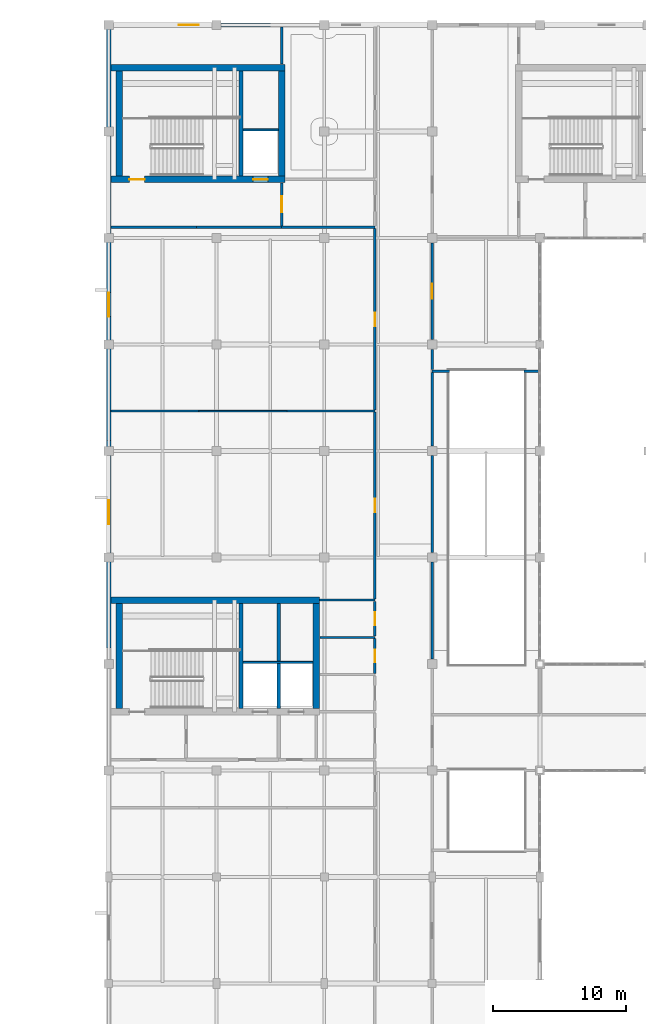
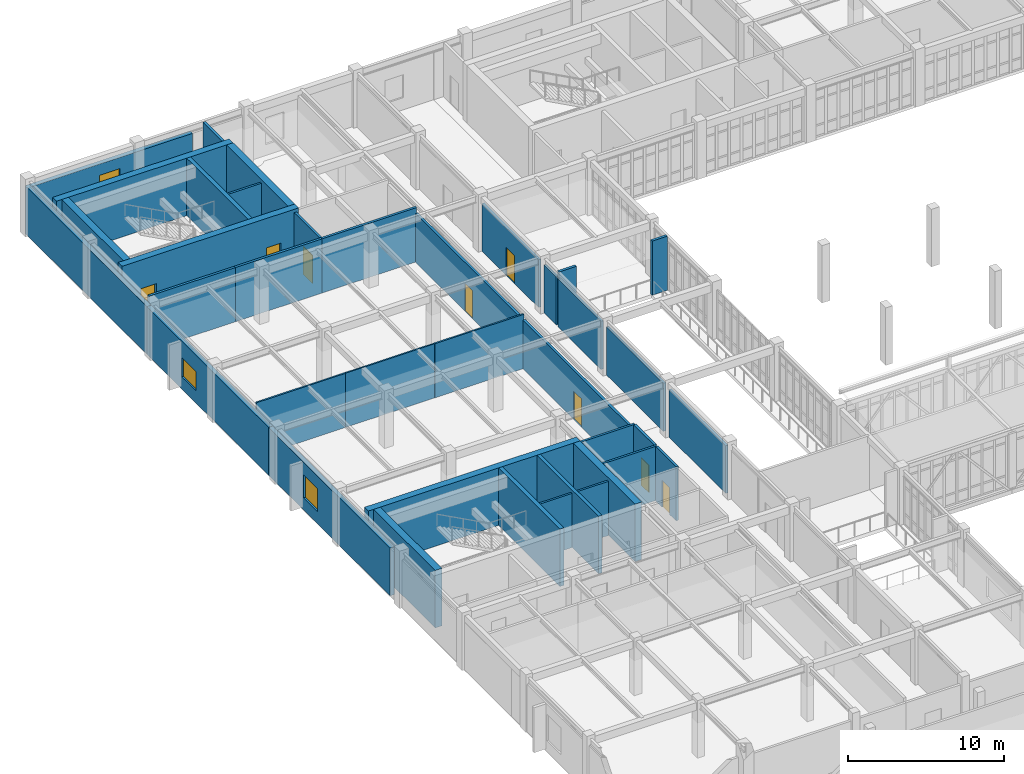
# One storey, part 51 of 67: 37 walls, 8 doors, 3 windows, 11 openings.
"""IFC4 building model written with IfcOpenShell, lengths in metres."""

import ifcopenshell
import ifcopenshell.guid

model = None  # the IFC model being written
_history = None  # IfcOwnerHistory: only IFC2X3 demands one
_inside = {}  # id of a spatial element -> (the spatial element, [elements in it])
_under = {}  # id of a project, library or spatial element -> (it, [spatial elements below it])
_declared = {}  # id of a project -> (the project, [libraries it declares])
_typed = {}  # id of a type object -> (the type object, [elements of that type])
_made_of = {}  # id of a material, layer set ... -> (it, [elements and type objects made of it])


def new_model(schema):
    """Start an empty IFC model of exactly this schema.

    Asked for "IFC4X3", IfcOpenShell would pick the latest addendum, in which some entities
    have other attributes; the version numbers below select the first issue.
    IFC2X3 requires an IfcOwnerHistory on every rooted entity: one is made here for all.
    """
    global model, _history
    if schema == "IFC4X3":
        model = ifcopenshell.file(schema_version=(4, 3, 0, 0))
    else:
        model = ifcopenshell.file(schema=schema)
    _inside.clear()
    _under.clear()
    _declared.clear()
    _typed.clear()
    _made_of.clear()
    _history = None
    if model.schema == "IFC2X3":
        org = make("IfcOrganization", Name="unknown")
        user = make(
            "IfcPersonAndOrganization",
            ThePerson=make("IfcPerson", FamilyName="unknown"),
            TheOrganization=org,
        )
        app = make(
            "IfcApplication",
            ApplicationDeveloper=org,
            Version="unknown",
            ApplicationFullName="unknown",
            ApplicationIdentifier="unknown",
        )
        _history = make(
            "IfcOwnerHistory",
            OwningUser=user,
            OwningApplication=app,
            ChangeAction="ADDED",
            CreationDate=0,
        )
    return model


def make(cls, **values):
    """One entity of the class cls with the attributes given. An attribute that is None is left unset."""
    return model.create_entity(
        cls, **{name: value for name, value in values.items() if value is not None}
    )


def rooted(cls, **values):
    """An entity with a GlobalId (a new one), such as an element, a storey or a relation."""
    return make(cls, GlobalId=ifcopenshell.guid.new(), OwnerHistory=_history, **values)


def si_unit(unit_type, name, prefix=None):
    """IfcSIUnit, for example si_unit("LENGTHUNIT", "METRE", prefix="MILLI")."""
    return make("IfcSIUnit", UnitType=unit_type, Prefix=prefix, Name=name)


def assignment(units):
    """IfcUnitAssignment: the units of a project."""
    return None if units is None else make("IfcUnitAssignment", Units=units)


def point(xyz):
    """IfcCartesianPoint."""
    return None if xyz is None else make("IfcCartesianPoint", Coordinates=xyz)


def direction(xyz):
    """IfcDirection."""
    return None if xyz is None else make("IfcDirection", DirectionRatios=xyz)


def frame(location, z_axis=None, x_axis=None):
    """IfcAxis2Placement3D, a coordinate frame: its origin and axes. An axis left out is left unset."""
    return make(
        "IfcAxis2Placement3D",
        Location=point(location),
        Axis=direction(z_axis),
        RefDirection=direction(x_axis),
    )


def frame_2d(location, x_axis=None):
    """IfcAxis2Placement2D, a coordinate frame in the plane: its origin and x axis."""
    return make(
        "IfcAxis2Placement2D", Location=point(location), RefDirection=direction(x_axis)
    )


def origin():
    """The frame at (0, 0, 0) with its axes left unset."""
    return frame((0.0, 0.0, 0.0))


def place(relative_to, where):
    """IfcLocalPlacement: puts the frame where relative to a parent placement (None: the world)."""
    return make(
        "IfcLocalPlacement", PlacementRelTo=relative_to, RelativePlacement=where
    )


def context(
    kind, dimensions, precision=None, world=None, true_north=None, identifier=None
):
    """IfcGeometricRepresentationContext, for example the 3D "Model" context."""
    return make(
        "IfcGeometricRepresentationContext",
        ContextIdentifier=identifier,
        ContextType=kind,
        CoordinateSpaceDimension=dimensions,
        Precision=precision,
        WorldCoordinateSystem=world,
        TrueNorth=true_north,
    )


def subcontext(parent, identifier, kind, view, scale=None):
    """IfcGeometricRepresentationSubContext, for example "Body" below "Model"."""
    return make(
        "IfcGeometricRepresentationSubContext",
        ContextIdentifier=identifier,
        ContextType=kind,
        ParentContext=parent,
        TargetScale=scale,
        TargetView=view,
    )


def project(units=None, contexts=None):
    """IfcProject with its units and contexts."""
    return rooted(
        "IfcProject",
        Name="project",
        RepresentationContexts=contexts,
        UnitsInContext=assignment(units),
    )


def spatial(cls, under=None, at=None, **own):
    """A site, building, storey or space (cls), placed at a placement, below another one or the project."""
    s = rooted(cls, ObjectPlacement=at, **own)
    if under is not None:
        _under.setdefault(under.id(), (under, []))[1].append(s)
    return s


def profile(cls, at=None, kind="AREA", **sizes):
    """A parametric profile (cls). Its sizes go by their IFC names, for example OverallWidth=200.0."""
    return make(cls, ProfileType=kind, Position=at, **sizes)


def rectangle(**sizes):
    """IfcRectangleProfileDef."""
    return profile("IfcRectangleProfileDef", **sizes)


def extrude(swept, where, along, depth):
    """IfcExtrudedAreaSolid: the profile swept, set in the frame where, extruded along a direction by depth."""
    return make(
        "IfcExtrudedAreaSolid",
        SweptArea=swept,
        Position=where,
        ExtrudedDirection=direction(along),
        Depth=depth,
    )


def shape(context_of_items, identifier, shape_type, items):
    """IfcShapeRepresentation: the items that make up one representation, for example the "Body"."""
    return make(
        "IfcShapeRepresentation",
        ContextOfItems=context_of_items,
        RepresentationIdentifier=identifier,
        RepresentationType=shape_type,
        Items=items,
    )


def material(Name=None, Category=None):
    """IfcMaterial."""
    return make("IfcMaterial", Name=Name, Category=Category)


def layer(
    of_material, thickness, ventilated=None, Name=None, Category=None, Priority=None
):
    """IfcMaterialLayer: one layer of a wall or slab, of a material (None: an air gap)."""
    return make(
        "IfcMaterialLayer",
        Material=of_material,
        LayerThickness=thickness,
        IsVentilated=ventilated,
        Name=Name,
        Category=Category,
        Priority=Priority,
    )


def layer_set(layers, Name=None):
    """IfcMaterialLayerSet."""
    return make("IfcMaterialLayerSet", MaterialLayers=layers, LayerSetName=Name)


def made_of(thing, what):
    """Note that an element or type object is made of a material, layer set ...; save() writes the relation."""
    if what is not None:
        _made_of.setdefault(what.id(), (what, []))[1].append(thing)
    return thing


def type_object(cls, material=None, **own):
    """A type object (cls), such as IfcWallType, which elements share."""
    return made_of(rooted(cls, **own), material)


def element(
    cls,
    number,
    at=None,
    inside=None,
    cuts=None,
    type_object=None,
    material=None,
    context=None,
    identifier="Body",
    shape_type=None,
    held_by="IfcProductDefinitionShape",
    body=None,
    shapes=None,
    **own,
):
    """One element of the class cls, such as IfcWall. Its Tag is "e" and its number.

    at: its placement. inside: the storey or other place that contains it. cuts: it is an
    opening in that element (IfcRelVoidsElement). A single representation is given by context,
    identifier, shape_type and body (its items); several are given by shapes. held_by: the class
    of the entity that holds the representations. save() writes the other relations.
    """
    e = rooted(cls, Tag="e%d" % number, ObjectPlacement=at, **own)
    if body is not None:
        shapes = [shape(context, identifier, shape_type, body)]
    if shapes is not None:
        e.Representation = make(held_by, Representations=shapes)
    if inside is not None:
        _inside.setdefault(inside.id(), (inside, []))[1].append(e)
    if cuts is not None:
        rooted(
            "IfcRelVoidsElement", RelatingBuildingElement=cuts, RelatedOpeningElement=e
        )
    if type_object is not None:
        _typed.setdefault(type_object.id(), (type_object, []))[1].append(e)
    return made_of(e, material)


def fill(opening, filler):
    """IfcRelFillsElement: the door or window that sits in an opening."""
    return rooted(
        "IfcRelFillsElement",
        RelatingOpeningElement=opening,
        RelatedBuildingElement=filler,
    )


def aggregate(whole, parts):
    """IfcRelAggregates: a whole, such as a stair, and the parts it consists of."""
    return rooted("IfcRelAggregates", RelatingObject=whole, RelatedObjects=parts)


def save(model, path):
    """Write the relations noted so far, then the file.

    IfcRelAggregates (storeys below a building ...), IfcRelContainedInSpatialStructure (elements
    in a storey), IfcRelDefinesByType, IfcRelAssociatesMaterial and IfcRelDeclares: one each for
    every whole, place, type object, material and project.
    """
    for whole, parts in _under.values():
        aggregate(whole, parts)
    for where, things in _inside.values():
        rooted(
            "IfcRelContainedInSpatialStructure",
            RelatedElements=things,
            RelatingStructure=where,
        )
    for kind, things in _typed.values():
        rooted("IfcRelDefinesByType", RelatedObjects=things, RelatingType=kind)
    for what, things in _made_of.values():
        rooted("IfcRelAssociatesMaterial", RelatedObjects=things, RelatingMaterial=what)
    for by, libraries in _declared.values():
        rooted("IfcRelDeclares", RelatingContext=by, RelatedDefinitions=libraries)
    model.write(path)


model = new_model("IFC4")

# Units and contexts
model_context = context("Model", 3, precision=1e-05, world=origin(), true_north=direction((0.0, 1.0)))
body_context = subcontext(model_context, "Body", "Model", "MODEL_VIEW")
ifc_project = project(units=[si_unit("LENGTHUNIT", "METRE"), si_unit("AREAUNIT", "SQUARE_METRE"), si_unit("VOLUMEUNIT", "CUBIC_METRE"), si_unit("PLANEANGLEUNIT", "RADIAN"), si_unit("MASSUNIT", "GRAM", prefix="KILO")], contexts=[model_context])

# Site, building, storey
site_placement = place(None, origin())
site = spatial("IfcSite", under=ifc_project, at=site_placement, CompositionType="ELEMENT")
building_placement = place(site_placement, origin())
building = spatial("IfcBuilding", under=site, at=building_placement, Name="Tarnveldt Square Police Headquarters", CompositionType="ELEMENT")
storey_placement = place(building_placement, frame((0.0, 0.0, 10.199951171875)))
storey = spatial("IfcBuildingStorey", under=building, at=storey_placement, Name="L02", CompositionType="ELEMENT", Elevation=10.199951171875)

# Walls
ifc_material_1 = material(Name="Fire-rated Type X gypsum board on steel studs", Category="steel")
ifc_layer_1 = layer(ifc_material_1, 0.199951171875)
ifc_layer_set_1 = layer_set([ifc_layer_1], Name="Fire-rated Type X gypsum board on steel studs")
wall_type_1 = type_object("IfcWallType", Name="WL-ACOUST-200", PredefinedType="PARTITIONING", material=ifc_layer_set_1)
wall_1_placement = place(storey_placement, frame((40.5, 86.0, 0.0), z_axis=(0.0, 0.0, 1.0), x_axis=(1.0, 0.0, 0.0)))
element("IfcWall", 1, at=wall_1_placement, inside=storey, type_object=wall_type_1, Name="L02 Interior Partition Wall 0362", PredefinedType="PARTITIONING", context=body_context, shape_type="SweptSolid", body=[
    extrude(rectangle(XDim=1.2900390625, YDim=0.199951171875, at=frame_2d((0.64501953125, 0.0))), origin(), (0.0, 0.0, 1.0), 4.239990234375),
])
wall_2_placement = place(storey_placement, frame((47.409912109375, 86.0, 0.0), z_axis=(0.0, 0.0, 1.0), x_axis=(1.0, 0.0, 0.0)))
element("IfcWall", 2, at=wall_2_placement, inside=storey, type_object=wall_type_1, Name="L02 Interior Partition Wall 0363", PredefinedType="PARTITIONING", context=body_context, shape_type="SweptSolid", body=[
    extrude(rectangle(XDim=1.125, YDim=0.199951171875, at=frame_2d((0.5625, 0.0))), origin(), (0.0, 0.0, 1.0), 4.239990234375),
])
wall_3_placement = place(storey_placement, frame((29.199951171875, 109.05810546875, 0.0), z_axis=(0.0, 0.0, 1.0), x_axis=(0.0, 1.0, 0.0)))
element("IfcWall", 3, at=wall_3_placement, inside=storey, type_object=wall_type_1, Name="L02 Interior Partition Wall 0383", PredefinedType="PARTITIONING", context=body_context, shape_type="SweptSolid", body=[
    extrude(rectangle(XDim=2.77392578125, YDim=0.199951171875, at=frame_2d((1.386962890625, 0.0))), origin(), (0.0, 0.0, 1.0), 4.239990234375),
])
ifc_material_2 = material(Name="Concrete 50 MPa", Category="concrete")
ifc_layer_2 = layer(ifc_material_2, 0.449951171875)
ifc_layer_set_2 = layer_set([ifc_layer_2], Name="Concrete 50 MPa")
wall_type_2 = type_object("IfcWallType", Name="WL-CORE-450", PredefinedType="SHEAR", material=ifc_layer_set_2)
wall_4_placement = place(storey_placement, frame((26.14990234375, 60.64990234375, 0.0), z_axis=(0.0, 0.0, 1.0), x_axis=(0.0, 1.0, 0.0)))
element("IfcWall", 4, at=wall_4_placement, inside=storey, type_object=wall_type_2, Name="Core K1 South-West Command and Firefighting Core L02 Stair-Lift Divider Shear Wall", PredefinedType="SHEAR", context=body_context, shape_type="SweptSolid", body=[
    extrude(rectangle(XDim=7.900146484375, YDim=0.300048828125, at=frame_2d((3.9501953125, 0.0))), origin(), (0.0, 0.0, 1.0), 4.5),
])
wall_5_placement = place(storey_placement, frame((28.97509765625, 60.64990234375, 0.0), z_axis=(0.0, 0.0, 1.0), x_axis=(0.0, 1.0, 0.0)))
element("IfcWall", 5, at=wall_5_placement, inside=storey, type_object=wall_type_2, Name="Core K1 South-West Command and Firefighting Core L02 Dual-Lift Shaft Divider Wall", PredefinedType="SHEAR", context=body_context, shape_type="SweptSolid", body=[
    extrude(rectangle(XDim=7.900146484375, YDim=0.25, at=frame_2d((3.9501953125, 0.0))), origin(), (0.0, 0.0, 1.0), 4.5),
])
wall_6_placement = place(storey_placement, frame((26.14990234375, 100.64990234375, 0.0), z_axis=(0.0, 0.0, 1.0), x_axis=(0.0, 1.0, 0.0)))
element("IfcWall", 6, at=wall_6_placement, inside=storey, type_object=wall_type_2, Name="Core K2 North-West Operations Core L02 Stair-Lift Divider Shear Wall", PredefinedType="SHEAR", context=body_context, shape_type="SweptSolid", body=[
    extrude(rectangle(XDim=7.900146484375, YDim=0.300048828125, at=frame_2d((3.9501953125, 0.0))), origin(), (0.0, 0.0, 1.0), 4.5),
])
ifc_layer_3 = layer(ifc_material_2, 0.5)
ifc_layer_set_3 = layer_set([ifc_layer_3], Name="Concrete 50 MPa")
wall_type_3 = type_object("IfcWallType", Name="WL-CORE-500", PredefinedType="SHEAR", material=ifc_layer_set_3)
wall_7_placement = place(storey_placement, frame((16.360107421875, 68.800048828125, 0.0), z_axis=(0.0, 0.0, 1.0), x_axis=(1.0, 0.0, 0.0)))
element("IfcWall", 7, at=wall_7_placement, inside=storey, type_object=wall_type_3, Name="Core K1 South-West Command and Firefighting Core L02 North Shear Wall", PredefinedType="SHEAR", context=body_context, shape_type="SweptSolid", body=[
    extrude(rectangle(XDim=15.68994140625, YDim=0.5, at=frame_2d((7.844970703125, 0.0))), origin(), (0.0, 0.0, 1.0), 4.5),
])
for number, where, z_axis, x_axis, name in (
    (8, (17.0, 60.64990234375, 0.0), (0.0, 0.0, 1.0), (0.0, 1.0, 0.0), "Core K1 South-West Command and Firefighting Core L02 West Shear Wall"),
    (9, (31.800048828125, 60.64990234375, 0.0), (0.0, 0.0, 1.0), (0.0, 1.0, 0.0), "Core K1 South-West Command and Firefighting Core L02 East Shear Wall"),
):
    element("IfcWall", number, at=place(storey_placement, frame(where, z_axis=z_axis, x_axis=x_axis)), inside=storey, type_object=wall_type_3, Name=name, PredefinedType="SHEAR", context=body_context, shape_type="SweptSolid", body=[
        extrude(rectangle(XDim=7.900146484375, YDim=0.5, at=frame_2d((3.9501953125, 0.0))), origin(), (0.0, 0.0, 1.0), 4.5),
    ])

# Wall, openings, doors
wall_8_placement = place(storey_placement, frame((16.360107421875, 100.39990234375, 0.0), z_axis=(0.0, 0.0, 1.0), x_axis=(1.0, 0.0, 0.0)))
wall_8 = element("IfcWall", 10, at=wall_8_placement, inside=storey, type_object=wall_type_3, Name="Core K2 North-West Operations Core L02 South Shear Wall", PredefinedType="SHEAR", context=body_context, shape_type="SweptSolid", body=[
    extrude(rectangle(XDim=13.08984375, YDim=0.5, at=frame_2d((6.544921875, 0.0))), origin(), (0.0, 0.0, 1.0), 4.5),
])
opening_1_placement = place(wall_8_placement, frame((1.389892578125, 0.0, 0.0)))
opening_1 = element("IfcOpeningElement", 11, at=opening_1_placement, cuts=wall_8, Name="Opening D-ST2-L02", PredefinedType="OPENING", context=body_context, shape_type="SweptSolid", body=[
    extrude(rectangle(XDim=1.14990234375, YDim=2.25, at=frame_2d((0.574951171875, 1.125))), frame((0.0, 0.260009765625, 0.0), z_axis=(0.0, -1.0, 0.0), x_axis=(1.0, 0.0, 0.0)), (0.0, 0.0, 1.0), 0.52001953125),
])
opening_2_placement = place(wall_8_placement, frame((10.695068359375, 0.0, 0.0)))
opening_2 = element("IfcOpeningElement", 12, at=opening_2_placement, cuts=wall_8, Name="Opening LD-LP2-L02", PredefinedType="OPENING", context=body_context, shape_type="SweptSolid", body=[
    extrude(rectangle(XDim=1.10009765625, YDim=2.199951171875, at=frame_2d((0.550048828125, 1.10009765625))), frame((0.0, 0.260009765625, 0.0), z_axis=(0.0, -1.0, 0.0), x_axis=(1.0, 0.0, 0.0)), (0.0, 0.0, 1.0), 0.52001953125),
])
ifc_material_3 = material(Name="Insulated hollow metal steel door leaf", Category="steel")
door_type_1 = type_object("IfcDoorType", Name="DR-FD90-1150", OperationType="NOTDEFINED", PredefinedType="DOOR", material=ifc_material_3)
door_1_placement = place(opening_1_placement, origin())
door_1 = element("IfcDoor", 13, at=door_1_placement, inside=storey, type_object=door_type_1, Name="Exit Stair ST2 L02 Fire Door", OperationType="SINGLE_SWING_RIGHT", OverallHeight=2.25, OverallWidth=1.14990234375, PredefinedType="DOOR", context=body_context, shape_type="SweptSolid", body=[
    extrude(rectangle(XDim=1.14990234375, YDim=2.25, at=frame_2d((0.574951171875, 1.125))), frame((0.0, 0.02490234375, 0.0), z_axis=(0.0, -1.0, 0.0), x_axis=(1.0, 0.0, 0.0)), (0.0, 0.0, 1.0), 0.050048828125),
])
fill(opening_1, door_1)
ifc_material_4 = material(Name="Steel 350W", Category="steel")
door_type_2 = type_object("IfcDoorType", Name="DR-LD-1100", OperationType="DOUBLE_DOOR_SLIDING", PredefinedType="DOOR", material=ifc_material_4)
door_2_placement = place(opening_2_placement, frame((1.10009765625, 0.0, 0.0), z_axis=(0.0, 0.0, 1.0), x_axis=(-1.0, 0.0, 0.0)))
door_2 = element("IfcDoor", 14, at=door_2_placement, inside=storey, type_object=door_type_2, Name="Elevator LP2 L02 Sliding Landing Door", OperationType="DOUBLE_DOOR_SLIDING", OverallHeight=2.199951171875, OverallWidth=1.10009765625, PredefinedType="DOOR", context=body_context, shape_type="SweptSolid", body=[
    extrude(rectangle(XDim=1.10009765625, YDim=2.199951171875, at=frame_2d((0.550048828125, 1.10009765625))), frame((0.0, 0.02490234375, 0.0), z_axis=(0.0, -1.0, 0.0), x_axis=(1.0, 0.0, 0.0)), (0.0, 0.0, 1.0), 0.050048828125),
])
fill(opening_2, door_2)

# Walls
wall_9_placement = place(storey_placement, frame((16.360107421875, 108.800048828125, 0.0), z_axis=(0.0, 0.0, 1.0), x_axis=(1.0, 0.0, 0.0)))
element("IfcWall", 15, at=wall_9_placement, inside=storey, type_object=wall_type_3, Name="Core K2 North-West Operations Core L02 North Shear Wall", PredefinedType="SHEAR", context=body_context, shape_type="SweptSolid", body=[
    extrude(rectangle(XDim=13.08984375, YDim=0.5, at=frame_2d((6.544921875, 0.0))), origin(), (0.0, 0.0, 1.0), 4.5),
])
for number, where, z_axis, x_axis, name in (
    (16, (17.0, 100.64990234375, 0.0), (0.0, 0.0, 1.0), (0.0, 1.0, 0.0), "Core K2 North-West Operations Core L02 West Shear Wall"),
    (17, (29.199951171875, 100.64990234375, 0.0), (0.0, 0.0, 1.0), (0.0, 1.0, 0.0), "Core K2 North-West Operations Core L02 East Shear Wall"),
):
    element("IfcWall", number, at=place(storey_placement, frame(where, z_axis=z_axis, x_axis=x_axis)), inside=storey, type_object=wall_type_3, Name=name, PredefinedType="SHEAR", context=body_context, shape_type="SweptSolid", body=[
        extrude(rectangle(XDim=7.900146484375, YDim=0.5, at=frame_2d((3.9501953125, 0.0))), origin(), (0.0, 0.0, 1.0), 4.5),
    ])

# Wall, opening, window
ifc_material_5 = material(Name="Concrete 40 MPa", Category="concrete")
ifc_layer_4 = layer(ifc_material_5, 0.320068359375)
ifc_layer_set_4 = layer_set([ifc_layer_4], Name="Concrete 40 MPa")
wall_type_4 = type_object("IfcWallType", Name="WL-EXT-BH320", PredefinedType="SOLIDWALL", material=ifc_layer_set_4)
wall_10_placement = place(storey_placement, frame((28.35009765625, 112.0, 0.0), z_axis=(0.0, 0.0, 1.0), x_axis=(-1.0, 0.0, 0.0)))
wall_10 = element("IfcWall", 18, at=wall_10_placement, inside=storey, type_object=wall_type_4, Name="L02 Brutalist Exterior Wall 0136", PredefinedType="SOLIDWALL", context=body_context, shape_type="SweptSolid", body=[
    extrude(rectangle(XDim=12.150146484375, YDim=0.320068359375, at=frame_2d((6.0751953125, 0.0))), origin(), (0.0, 0.0, 1.0), 3.632080078125),
])
opening_3_placement = place(wall_10_placement, frame((5.39990234375, 0.0, 0.949951171875)))
opening_3 = element("IfcOpeningElement", 19, at=opening_3_placement, cuts=wall_10, Name="Opening W07", PredefinedType="OPENING", context=body_context, shape_type="SweptSolid", body=[
    extrude(rectangle(XDim=1.5, YDim=1.800048828125, at=frame_2d((0.75, 0.89990234375))), frame((0.0, 0.169921875, 0.0), z_axis=(0.0, -1.0, 0.0), x_axis=(1.0, 0.0, 0.0)), (0.0, 0.0, 1.0), 0.340087890625),
])
ifc_material_6 = material(Name="Triple-glazed low-e laminated vision glass", Category="glass")
window_type_1 = type_object("IfcWindowType", Name="WIN-DR-150x180", PartitioningType="DOUBLE_PANEL_VERTICAL", PredefinedType="WINDOW", material=ifc_material_6)
window_1_placement = place(opening_3_placement, origin())
window_1 = element("IfcWindow", 20, at=window_1_placement, inside=storey, type_object=window_type_1, Name="L02 Deep-Reveal Brutalist Window 0055", OverallHeight=1.800048828125, OverallWidth=1.5, PartitioningType="DOUBLE_PANEL_VERTICAL", PredefinedType="WINDOW", context=body_context, shape_type="SweptSolid", body=[
    extrude(rectangle(XDim=1.5, YDim=1.800048828125, at=frame_2d((0.75, 0.89990234375))), frame((0.0, 0.030029296875, 0.0), z_axis=(0.0, -1.0, 0.0), x_axis=(1.0, 0.0, 0.0)), (0.0, 0.0, 1.0), 0.06005859375),
])
fill(opening_3, window_1)

# Wall
wall_11_placement = place(storey_placement, frame((16.199951171875, 112.0, 0.0), z_axis=(0.0, 0.0, 1.0), x_axis=(0.0, -1.0, 0.0)))
element("IfcWall", 21, at=wall_11_placement, inside=storey, type_object=wall_type_4, Name="L02 Brutalist Exterior Wall 0137", PredefinedType="SOLIDWALL", context=body_context, shape_type="SweptSolid", body=[
    extrude(rectangle(XDim=15.60009765625, YDim=0.320068359375, at=frame_2d((7.800048828125, 0.0))), origin(), (0.0, 0.0, 1.0), 3.73193359375),
])

# Wall, opening, window
wall_12_placement = place(storey_placement, frame((16.199951171875, 96.39990234375, 0.0), z_axis=(0.0, 0.0, 1.0), x_axis=(0.0, -1.0, 0.0)))
wall_12 = element("IfcWall", 22, at=wall_12_placement, inside=storey, type_object=wall_type_4, Name="L02 Brutalist Exterior Wall 0138", PredefinedType="SOLIDWALL", context=body_context, shape_type="SweptSolid", body=[
    extrude(rectangle(XDim=15.599853515625, YDim=0.320068359375, at=frame_2d((7.7998046875, 0.0))), origin(), (0.0, 0.0, 1.0), 3.73193359375),
])
opening_4_placement = place(wall_12_placement, frame((4.5, 0.0, 0.949951171875)))
opening_4 = element("IfcOpeningElement", 23, at=opening_4_placement, cuts=wall_12, Name="Opening W08", PredefinedType="OPENING", context=body_context, shape_type="SweptSolid", body=[
    extrude(rectangle(XDim=1.800048828125, YDim=1.5, at=frame_2d((0.89990234375, 0.75))), frame((0.0, 0.169921875, 0.0), z_axis=(0.0, -1.0, 0.0), x_axis=(1.0, 0.0, 0.0)), (0.0, 0.0, 1.0), 0.340087890625),
])
window_type_2 = type_object("IfcWindowType", Name="WIN-DR-180x150", PartitioningType="DOUBLE_PANEL_VERTICAL", PredefinedType="WINDOW", material=ifc_material_6)
window_2_placement = place(opening_4_placement, origin())
window_2 = element("IfcWindow", 24, at=window_2_placement, inside=storey, type_object=window_type_2, Name="L02 Deep-Reveal Brutalist Window 0056", OverallHeight=1.5, OverallWidth=1.800048828125, PartitioningType="DOUBLE_PANEL_VERTICAL", PredefinedType="WINDOW", context=body_context, shape_type="SweptSolid", body=[
    extrude(rectangle(XDim=1.800048828125, YDim=1.5, at=frame_2d((0.89990234375, 0.75))), frame((0.0, 0.030029296875, 0.0), z_axis=(0.0, -1.0, 0.0), x_axis=(1.0, 0.0, 0.0)), (0.0, 0.0, 1.0), 0.06005859375),
])
fill(opening_4, window_2)

wall_13_placement = place(storey_placement, frame((16.199951171875, 80.800048828125, 0.0), z_axis=(0.0, 0.0, 1.0), x_axis=(0.0, -1.0, 0.0)))
wall_13 = element("IfcWall", 25, at=wall_13_placement, inside=storey, type_object=wall_type_4, Name="L02 Brutalist Exterior Wall 0139", PredefinedType="SOLIDWALL", context=body_context, shape_type="SweptSolid", body=[
    extrude(rectangle(XDim=15.60009765625, YDim=0.320068359375, at=frame_2d((7.800048828125, 0.0))), origin(), (0.0, 0.0, 1.0), 3.73193359375),
])
opening_5_placement = place(wall_13_placement, frame((4.5, 0.0, 0.949951171875)))
opening_5 = element("IfcOpeningElement", 26, at=opening_5_placement, cuts=wall_13, Name="Opening W09", PredefinedType="OPENING", context=body_context, shape_type="SweptSolid", body=[
    extrude(rectangle(XDim=1.800048828125, YDim=1.800048828125, at=frame_2d((0.89990234375, 0.89990234375))), frame((0.0, 0.169921875, 0.0), z_axis=(0.0, -1.0, 0.0), x_axis=(1.0, 0.0, 0.0)), (0.0, 0.0, 1.0), 0.340087890625),
])
window_type_3 = type_object("IfcWindowType", Name="WIN-DR-180x180", PartitioningType="DOUBLE_PANEL_VERTICAL", PredefinedType="WINDOW", material=ifc_material_6)
window_3_placement = place(opening_5_placement, origin())
window_3 = element("IfcWindow", 27, at=window_3_placement, inside=storey, type_object=window_type_3, Name="L02 Deep-Reveal Brutalist Window 0057", OverallHeight=1.800048828125, OverallWidth=1.800048828125, PartitioningType="DOUBLE_PANEL_VERTICAL", PredefinedType="WINDOW", context=body_context, shape_type="SweptSolid", body=[
    extrude(rectangle(XDim=1.800048828125, YDim=1.800048828125, at=frame_2d((0.89990234375, 0.89990234375))), frame((0.0, 0.030029296875, 0.0), z_axis=(0.0, -1.0, 0.0), x_axis=(1.0, 0.0, 0.0)), (0.0, 0.0, 1.0), 0.06005859375),
])
fill(opening_5, window_3)

# Walls
ifc_layer_5 = layer(ifc_material_1, 0.179931640625)
ifc_layer_set_5 = layer_set([ifc_layer_5], Name="Fire-rated Type X gypsum board on steel studs")
wall_type_5 = type_object("IfcWallType", Name="WL-FIRE-180", PredefinedType="PARTITIONING", material=ifc_layer_set_5)
for number, where, z_axis, x_axis, name in (
    (28, (16.367919921875, 96.800048828125, 0.0), (0.0, 0.0, 1.0), (1.0, 0.0, 0.0), "L02 Interior Partition Wall 0342"),
    (29, (22.783935546875, 96.800048828125, 0.0), (0.0, 0.0, 1.0), (1.0, 0.0, 0.0), "L02 Interior Partition Wall 0343"),
):
    element("IfcWall", number, at=place(storey_placement, frame(where, z_axis=z_axis, x_axis=x_axis)), inside=storey, type_object=wall_type_5, Name=name, PredefinedType="PARTITIONING", context=body_context, shape_type="SweptSolid", body=[
        extrude(rectangle(XDim=6.416015625, YDim=0.179931640625, at=frame_2d((3.2080078125, 0.0))), origin(), (0.0, 0.0, 1.0), 4.239990234375),
    ])
wall_14_placement = place(storey_placement, frame((29.199951171875, 96.800048828125, 0.0), z_axis=(0.0, 0.0, 1.0), x_axis=(1.0, 0.0, 0.0)))
element("IfcWall", 30, at=wall_14_placement, inside=storey, type_object=wall_type_5, Name="L02 Interior Partition Wall 0347", PredefinedType="PARTITIONING", context=body_context, shape_type="SweptSolid", body=[
    extrude(rectangle(XDim=7.0, YDim=0.179931640625, at=frame_2d((3.5, 0.0))), origin(), (0.0, 0.0, 1.0), 4.239990234375),
])

# Wall, opening, door
wall_15_placement = place(storey_placement, frame((29.199951171875, 96.89794921875, 0.0), z_axis=(0.0, 0.0, 1.0), x_axis=(0.0, 1.0, 0.0)))
wall_15 = element("IfcWall", 31, at=wall_15_placement, inside=storey, type_object=wall_type_5, Name="L02 Interior Partition Wall 0382", PredefinedType="PARTITIONING", context=body_context, shape_type="SweptSolid", body=[
    extrude(rectangle(XDim=3.244140625, YDim=0.179931640625, at=frame_2d((1.6220703125, 0.0))), origin(), (0.0, 0.0, 1.0), 4.239990234375),
])
opening_6_placement = place(wall_15_placement, frame((1.02197265625, 0.0, 0.0)))
opening_6 = element("IfcOpeningElement", 32, at=opening_6_placement, cuts=wall_15, Name="Opening D16", PredefinedType="OPENING", context=body_context, shape_type="SweptSolid", body=[
    extrude(rectangle(XDim=1.199951171875, YDim=2.199951171875, at=frame_2d((0.60009765625, 1.10009765625))), frame((0.0, 0.099853515625, 0.0), z_axis=(0.0, -1.0, 0.0), x_axis=(1.0, 0.0, 0.0)), (0.0, 0.0, 1.0), 0.199951171875),
])
door_type_3 = type_object("IfcDoorType", Name="DR-FD60-1200", OperationType="NOTDEFINED", PredefinedType="DOOR", material=ifc_material_3)
door_3_placement = place(opening_6_placement, frame((1.199951171875, 0.0, 0.0), z_axis=(0.0, 0.0, 1.0), x_axis=(-1.0, 0.0, 0.0)))
door_3 = element("IfcDoor", 33, at=door_3_placement, inside=storey, type_object=door_type_3, Name="Core Lift Lobby K2-L02 Door", OperationType="SINGLE_SWING_LEFT", OverallHeight=2.199951171875, OverallWidth=1.199951171875, PredefinedType="DOOR", context=body_context, shape_type="SweptSolid", body=[
    extrude(rectangle(XDim=1.199951171875, YDim=2.199951171875, at=frame_2d((0.60009765625, 1.10009765625))), frame((0.0, 0.02490234375, 0.0), z_axis=(0.0, -1.0, 0.0), x_axis=(1.0, 0.0, 0.0)), (0.0, 0.0, 1.0), 0.050048828125),
])
fill(opening_6, door_3)

wall_16_placement = place(storey_placement, frame((36.199951171875, 63.2880859375, 0.0), z_axis=(0.0, 0.0, 1.0), x_axis=(0.0, 1.0, 0.0)))
wall_16 = element("IfcWall", 34, at=wall_16_placement, inside=storey, type_object=wall_type_5, Name="L02 Interior Partition Wall 0393", PredefinedType="PARTITIONING", context=body_context, shape_type="SweptSolid", body=[
    extrude(rectangle(XDim=2.6240234375, YDim=0.179931640625, at=frame_2d((1.31201171875, 0.0))), origin(), (0.0, 0.0, 1.0), 4.239990234375),
])
opening_7_placement = place(wall_16_placement, frame((0.8369140625, 0.0, 0.0)))
opening_7 = element("IfcOpeningElement", 35, at=opening_7_placement, cuts=wall_16, Name="Opening D02", PredefinedType="OPENING", context=body_context, shape_type="SweptSolid", body=[
    extrude(rectangle(XDim=0.949951171875, YDim=2.10009765625, at=frame_2d((0.47509765625, 1.050048828125))), frame((0.0, 0.099853515625, 0.0), z_axis=(0.0, -1.0, 0.0), x_axis=(1.0, 0.0, 0.0)), (0.0, 0.0, 1.0), 0.199951171875),
])
ifc_material_7 = material(Name="Solid core architectural birch door leaf", Category="wood")
door_type_4 = type_object("IfcDoorType", Name="DR-WC-950", OperationType="NOTDEFINED", PredefinedType="DOOR", material=ifc_material_7)
door_4_placement = place(opening_7_placement, origin())
door_4 = element("IfcDoor", 36, at=door_4_placement, inside=storey, type_object=door_type_4, Name="Women Washroom L02 Door", OperationType="SINGLE_SWING_LEFT", OverallHeight=2.10009765625, OverallWidth=0.949951171875, PredefinedType="DOOR", context=body_context, shape_type="SweptSolid", body=[
    extrude(rectangle(XDim=0.949951171875, YDim=2.10009765625, at=frame_2d((0.47509765625, 1.050048828125))), frame((0.0, 0.02490234375, 0.0), z_axis=(0.0, -1.0, 0.0), x_axis=(1.0, 0.0, 0.0)), (0.0, 0.0, 1.0), 0.050048828125),
])
fill(opening_7, door_4)

wall_17_placement = place(storey_placement, frame((36.199951171875, 66.087890625, 0.0), z_axis=(0.0, 0.0, 1.0), x_axis=(0.0, 1.0, 0.0)))
wall_17 = element("IfcWall", 37, at=wall_17_placement, inside=storey, type_object=wall_type_5, Name="L02 Interior Partition Wall 0394", PredefinedType="PARTITIONING", context=body_context, shape_type="SweptSolid", body=[
    extrude(rectangle(XDim=2.6240234375, YDim=0.179931640625, at=frame_2d((1.31201171875, 0.0))), origin(), (0.0, 0.0, 1.0), 4.239990234375),
])
opening_8_placement = place(wall_17_placement, frame((0.81201171875, 0.0, 0.0)))
opening_8 = element("IfcOpeningElement", 38, at=opening_8_placement, cuts=wall_17, Name="Opening D04", PredefinedType="OPENING", context=body_context, shape_type="SweptSolid", body=[
    extrude(rectangle(XDim=1.0, YDim=2.14990234375, at=frame_2d((0.5, 1.074951171875))), frame((0.0, 0.099853515625, 0.0), z_axis=(0.0, -1.0, 0.0), x_axis=(1.0, 0.0, 0.0)), (0.0, 0.0, 1.0), 0.199951171875),
])
door_type_5 = type_object("IfcDoorType", Name="DR-ACC-1000", OperationType="NOTDEFINED", PredefinedType="DOOR", material=ifc_material_7)
door_5_placement = place(opening_8_placement, origin())
door_5 = element("IfcDoor", 39, at=door_5_placement, inside=storey, type_object=door_type_5, Name="Accessible WC L02 Door", OperationType="SINGLE_SWING_RIGHT", OverallHeight=2.14990234375, OverallWidth=1.0, PredefinedType="DOOR", context=body_context, shape_type="SweptSolid", body=[
    extrude(rectangle(XDim=1.0, YDim=2.14990234375, at=frame_2d((0.5, 1.074951171875))), frame((0.0, 0.02490234375, 0.0), z_axis=(0.0, -1.0, 0.0), x_axis=(1.0, 0.0, 0.0)), (0.0, 0.0, 1.0), 0.050048828125),
])
fill(opening_8, door_5)

wall_18_placement = place(storey_placement, frame((36.199951171875, 68.887939453125, 0.0), z_axis=(0.0, 0.0, 1.0), x_axis=(0.0, 1.0, 0.0)))
wall_18 = element("IfcWall", 40, at=wall_18_placement, inside=storey, type_object=wall_type_5, Name="L02 Interior Partition Wall 0395", PredefinedType="PARTITIONING", context=body_context, shape_type="SweptSolid", body=[
    extrude(rectangle(XDim=14.0439453125, YDim=0.179931640625, at=frame_2d((7.02197265625, 0.0))), origin(), (0.0, 0.0, 1.0), 3.824951171875),
])
opening_9_placement = place(wall_18_placement, frame((6.52197265625, 0.0, 0.0)))
opening_9 = element("IfcOpeningElement", 41, at=opening_9_placement, cuts=wall_18, Name="Opening D05", PredefinedType="OPENING", context=body_context, shape_type="SweptSolid", body=[
    extrude(rectangle(XDim=1.0, YDim=2.199951171875, at=frame_2d((0.5, 1.10009765625))), frame((0.0, 0.099853515625, 0.0), z_axis=(0.0, -1.0, 0.0), x_axis=(1.0, 0.0, 0.0)), (0.0, 0.0, 1.0), 0.199951171875),
])
door_type_6 = type_object("IfcDoorType", Name="DR-INT-1000", OperationType="NOTDEFINED", PredefinedType="DOOR", material=ifc_material_7)
door_6_placement = place(opening_9_placement, origin())
door_6 = element("IfcDoor", 42, at=door_6_placement, inside=storey, type_object=door_type_6, Name="Missing Persons Investigation Unit Door", OperationType="SINGLE_SWING_LEFT", OverallHeight=2.199951171875, OverallWidth=1.0, PredefinedType="DOOR", context=body_context, shape_type="SweptSolid", body=[
    extrude(rectangle(XDim=1.0, YDim=2.199951171875, at=frame_2d((0.5, 1.10009765625))), frame((0.0, 0.02490234375, 0.0), z_axis=(0.0, -1.0, 0.0), x_axis=(1.0, 0.0, 0.0)), (0.0, 0.0, 1.0), 0.050048828125),
])
fill(opening_9, door_6)

wall_19_placement = place(storey_placement, frame((36.199951171875, 83.068115234375, 0.0), z_axis=(0.0, 0.0, 1.0), x_axis=(0.0, 1.0, 0.0)))
wall_19 = element("IfcWall", 43, at=wall_19_placement, inside=storey, type_object=wall_type_5, Name="L02 Interior Partition Wall 0396", PredefinedType="PARTITIONING", context=body_context, shape_type="SweptSolid", body=[
    extrude(rectangle(XDim=13.6337890625, YDim=0.179931640625, at=frame_2d((6.81689453125, 0.0))), origin(), (0.0, 0.0, 1.0), 3.824951171875),
])
opening_10_placement = place(wall_19_placement, frame((6.31689453125, 0.0, 0.0)))
opening_10 = element("IfcOpeningElement", 44, at=opening_10_placement, cuts=wall_19, Name="Opening D05", PredefinedType="OPENING", context=body_context, shape_type="SweptSolid", body=[
    extrude(rectangle(XDim=1.0, YDim=2.199951171875, at=frame_2d((0.5, 1.10009765625))), frame((0.0, 0.099853515625, 0.0), z_axis=(0.0, -1.0, 0.0), x_axis=(1.0, 0.0, 0.0)), (0.0, 0.0, 1.0), 0.199951171875),
])
door_7_placement = place(opening_10_placement, origin())
door_7 = element("IfcDoor", 45, at=door_7_placement, inside=storey, type_object=door_type_6, Name="Community Response Operations Office Door", OperationType="SINGLE_SWING_RIGHT", OverallHeight=2.199951171875, OverallWidth=1.0, PredefinedType="DOOR", context=body_context, shape_type="SweptSolid", body=[
    extrude(rectangle(XDim=1.0, YDim=2.199951171875, at=frame_2d((0.5, 1.10009765625))), frame((0.0, 0.02490234375, 0.0), z_axis=(0.0, -1.0, 0.0), x_axis=(1.0, 0.0, 0.0)), (0.0, 0.0, 1.0), 0.050048828125),
])
fill(opening_10, door_7)

# Walls
wall_20_placement = place(storey_placement, frame((40.5, 64.35791015625, 0.0), z_axis=(0.0, 0.0, 1.0), x_axis=(0.0, 1.0, 0.0)))
element("IfcWall", 46, at=wall_20_placement, inside=storey, type_object=wall_type_5, Name="L02 Interior Partition Wall 0405", PredefinedType="PARTITIONING", context=body_context, shape_type="SweptSolid", body=[
    extrude(rectangle(XDim=7.2841796875, YDim=0.179931640625, at=frame_2d((3.64208984375, 0.0))), origin(), (0.0, 0.0, 1.0), 3.73193359375),
])
wall_21_placement = place(storey_placement, frame((40.5, 72.35791015625, 0.0), z_axis=(0.0, 0.0, 1.0), x_axis=(0.0, 1.0, 0.0)))
element("IfcWall", 47, at=wall_21_placement, inside=storey, type_object=wall_type_5, Name="L02 Interior Partition Wall 0406", PredefinedType="PARTITIONING", context=body_context, shape_type="SweptSolid", body=[
    extrude(rectangle(XDim=7.2841796875, YDim=0.179931640625, at=frame_2d((3.64208984375, 0.0))), origin(), (0.0, 0.0, 1.0), 3.76904296875),
])
wall_22_placement = place(storey_placement, frame((40.5, 80.35791015625, 0.0), z_axis=(0.0, 0.0, 1.0), x_axis=(0.0, 1.0, 0.0)))
element("IfcWall", 48, at=wall_22_placement, inside=storey, type_object=wall_type_5, Name="L02 Interior Partition Wall 0407", PredefinedType="PARTITIONING", context=body_context, shape_type="SweptSolid", body=[
    extrude(rectangle(XDim=5.5341796875, YDim=0.179931640625, at=frame_2d((2.76708984375, 0.0))), origin(), (0.0, 0.0, 1.0), 3.76904296875),
])
wall_23_placement = place(storey_placement, frame((40.5, 86.10791015625, 0.0), z_axis=(0.0, 0.0, 1.0), x_axis=(0.0, 1.0, 0.0)))
element("IfcWall", 49, at=wall_23_placement, inside=storey, type_object=wall_type_5, Name="L02 Interior Partition Wall 0408", PredefinedType="PARTITIONING", context=body_context, shape_type="SweptSolid", body=[
    extrude(rectangle(XDim=1.5341796875, YDim=0.179931640625, at=frame_2d((0.76708984375, 0.0))), origin(), (0.0, 0.0, 1.0), 3.76904296875),
])

# Wall, opening, door
wall_24_placement = place(storey_placement, frame((40.5, 88.35791015625, 0.0), z_axis=(0.0, 0.0, 1.0), x_axis=(0.0, 1.0, 0.0)))
wall_24 = element("IfcWall", 50, at=wall_24_placement, inside=storey, type_object=wall_type_5, Name="L02 Interior Partition Wall 0409", PredefinedType="PARTITIONING", context=body_context, shape_type="SweptSolid", body=[
    extrude(rectangle(XDim=7.2841796875, YDim=0.179931640625, at=frame_2d((3.64208984375, 0.0))), origin(), (0.0, 0.0, 1.0), 3.73193359375),
])
opening_11_placement = place(wall_24_placement, frame((3.092041015625, 0.0, 0.0)))
opening_11 = element("IfcOpeningElement", 51, at=opening_11_placement, cuts=wall_24, Name="Opening D07", PredefinedType="OPENING", context=body_context, shape_type="SweptSolid", body=[
    extrude(rectangle(XDim=1.10009765625, YDim=2.199951171875, at=frame_2d((0.550048828125, 1.10009765625))), frame((0.0, 0.099853515625, 0.0), z_axis=(0.0, -1.0, 0.0), x_axis=(1.0, 0.0, 0.0)), (0.0, 0.0, 1.0), 0.199951171875),
])
door_type_7 = type_object("IfcDoorType", Name="DR-INT-1100", OperationType="NOTDEFINED", PredefinedType="DOOR", material=ifc_material_7)
door_8_placement = place(opening_11_placement, frame((1.10009765625, 0.0, 0.0), z_axis=(0.0, 0.0, 1.0), x_axis=(-1.0, 0.0, 0.0)))
door_8 = element("IfcDoor", 52, at=door_8_placement, inside=storey, type_object=door_type_7, Name="Patrol Supervisors Administration Office L02 Door", OperationType="SINGLE_SWING_RIGHT", OverallHeight=2.199951171875, OverallWidth=1.10009765625, PredefinedType="DOOR", context=body_context, shape_type="SweptSolid", body=[
    extrude(rectangle(XDim=1.10009765625, YDim=2.199951171875, at=frame_2d((0.550048828125, 1.10009765625))), frame((0.0, 0.02490234375, 0.0), z_axis=(0.0, -1.0, 0.0), x_axis=(1.0, 0.0, 0.0)), (0.0, 0.0, 1.0), 0.050048828125),
])
fill(opening_11, door_8)

# Walls
ifc_layer_6 = layer(ifc_material_1, 0.110107421875)
ifc_layer_set_6 = layer_set([ifc_layer_6], Name="Fire-rated Type X gypsum board on steel studs")
wall_type_6 = type_object("IfcWallType", Name="WL-PART-110", PredefinedType="PARTITIONING", material=ifc_layer_set_6)
wall_25_placement = place(storey_placement, frame((22.978759765625, 83.0, 0.0), z_axis=(0.0, 0.0, 1.0), x_axis=(1.0, 0.0, 0.0)))
element("IfcWall", 53, at=wall_25_placement, inside=storey, type_object=wall_type_6, Name="L02 Interior Partition Wall 0340", PredefinedType="PARTITIONING", context=body_context, shape_type="SweptSolid", body=[
    extrude(rectangle(XDim=6.610595703125, YDim=0.110107421875, at=frame_2d((3.30517578125, 0.0))), origin(), (0.0, 0.0, 1.0), 4.239990234375),
])
ifc_layer_7 = layer(ifc_material_1, 0.1201171875)
ifc_layer_set_7 = layer_set([ifc_layer_7], Name="Fire-rated Type X gypsum board on steel studs")
wall_type_7 = type_object("IfcWallType", Name="WL-PART-120", PredefinedType="PARTITIONING", material=ifc_layer_set_7)
wall_26_placement = place(storey_placement, frame((16.367919921875, 83.0, 0.0), z_axis=(0.0, 0.0, 1.0), x_axis=(1.0, 0.0, 0.0)))
element("IfcWall", 54, at=wall_26_placement, inside=storey, type_object=wall_type_7, Name="L02 Interior Partition Wall 0339", PredefinedType="PARTITIONING", context=body_context, shape_type="SweptSolid", body=[
    extrude(rectangle(XDim=6.61083984375, YDim=0.1201171875, at=frame_2d((3.305419921875, 0.0))), origin(), (0.0, 0.0, 1.0), 4.239990234375),
])
wall_27_placement = place(storey_placement, frame((29.58935546875, 83.0, 0.0), z_axis=(0.0, 0.0, 1.0), x_axis=(1.0, 0.0, 0.0)))
element("IfcWall", 55, at=wall_27_placement, inside=storey, type_object=wall_type_7, Name="L02 Interior Partition Wall 0341", PredefinedType="PARTITIONING", context=body_context, shape_type="SweptSolid", body=[
    extrude(rectangle(XDim=6.610595703125, YDim=0.1201171875, at=frame_2d((3.30517578125, 0.0))), origin(), (0.0, 0.0, 1.0), 4.239990234375),
])
ifc_layer_8 = layer(ifc_material_1, 0.14990234375)
ifc_layer_set_8 = layer_set([ifc_layer_8], Name="Fire-rated Type X gypsum board on steel studs")
wall_type_8 = type_object("IfcWallType", Name="WL-SHAFT-150", PredefinedType="PARTITIONING", material=ifc_layer_set_8)
wall_28_placement = place(storey_placement, frame((26.300048828125, 64.1201171875, 0.0), z_axis=(0.0, 0.0, 1.0), x_axis=(1.0, 0.0, 0.0)))
element("IfcWall", 56, at=wall_28_placement, inside=storey, type_object=wall_type_8, Name="K1 L02 Elevator Shaft Back Wall", PredefinedType="PARTITIONING", context=body_context, shape_type="SweptSolid", body=[
    extrude(rectangle(XDim=5.25, YDim=0.14990234375, at=frame_2d((2.625, 0.0))), origin(), (0.0, 0.0, 1.0), 4.239990234375),
])
wall_29_placement = place(storey_placement, frame((26.300048828125, 104.1201171875, 0.0), z_axis=(0.0, 0.0, 1.0), x_axis=(1.0, 0.0, 0.0)))
element("IfcWall", 57, at=wall_29_placement, inside=storey, type_object=wall_type_8, Name="K2 L02 Elevator Shaft Back Wall", PredefinedType="PARTITIONING", context=body_context, shape_type="SweptSolid", body=[
    extrude(rectangle(XDim=2.64990234375, YDim=0.14990234375, at=frame_2d((1.324951171875, 0.0))), origin(), (0.0, 0.0, 1.0), 4.239990234375),
])
ifc_material_8 = material(Name="Concrete block masonry 15 MPa", Category="masonry")
ifc_layer_9 = layer(ifc_material_8, 0.159912109375)
ifc_layer_set_9 = layer_set([ifc_layer_9], Name="Concrete block masonry 15 MPa")
wall_type_9 = type_object("IfcWallType", Name="WL-WET-160", PredefinedType="PARTITIONING", material=ifc_layer_set_9)
wall_30_placement = place(storey_placement, frame((32.05810546875, 66.0, 0.0), z_axis=(0.0, 0.0, 1.0), x_axis=(1.0, 0.0, 0.0)))
element("IfcWall", 58, at=wall_30_placement, inside=storey, type_object=wall_type_9, Name="L02 Interior Partition Wall 0352", PredefinedType="PARTITIONING", context=body_context, shape_type="SweptSolid", body=[
    extrude(rectangle(XDim=4.141845703125, YDim=0.159912109375, at=frame_2d((2.07080078125, 0.0))), origin(), (0.0, 0.0, 1.0), 4.239990234375),
])
wall_31_placement = place(storey_placement, frame((32.050048828125, 68.800048828125, 0.0), z_axis=(0.0, 0.0, 1.0), x_axis=(1.0, 0.0, 0.0)))
element("IfcWall", 59, at=wall_31_placement, inside=storey, type_object=wall_type_9, Name="L02 Interior Partition Wall 0353", PredefinedType="PARTITIONING", context=body_context, shape_type="SweptSolid", body=[
    extrude(rectangle(XDim=4.14990234375, YDim=0.159912109375, at=frame_2d((2.074951171875, 0.0))), origin(), (0.0, 0.0, 1.0), 4.239990234375),
])

save(model, "model.ifc")
